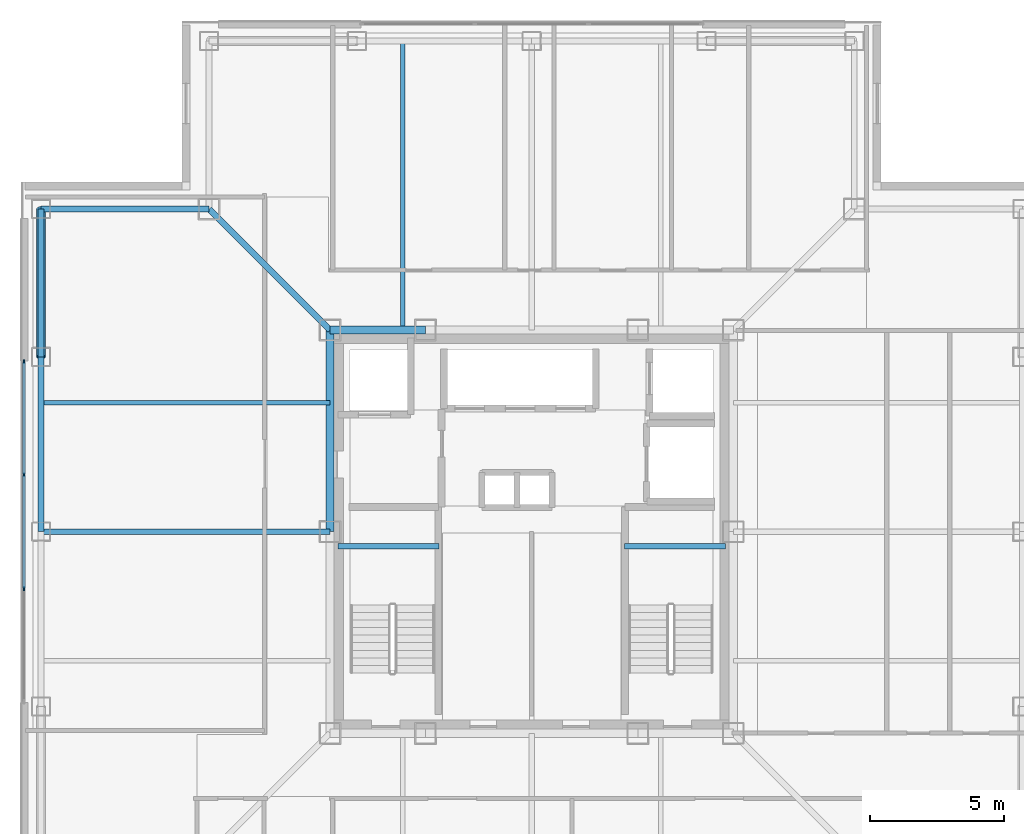
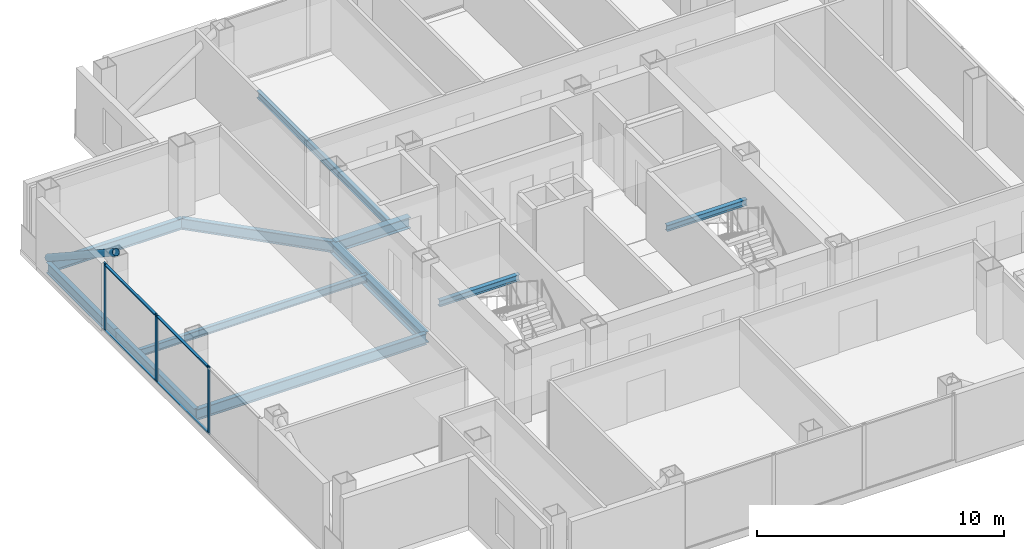
# One storey, part 4 of 16: 11 beams, 8 members, 1 element without a shape of its own.
"""IFC4 building model written with IfcOpenShell, lengths in metres."""

from ifc_helpers import new_model, si_unit, direction, frame, origin, origin_2d, place, context, subcontext, project, spatial, rectangle, hollow_circle, i_section, extrude, material, layer, layer_set, material_profile, profile_set, type_object, element, aggregate, save


model = new_model("IFC4")

# Units and contexts
model_context = context("Model", 3, precision=1e-05, world=origin(), true_north=direction((0.0, 1.0)))
body_context = subcontext(model_context, "Body", "Model", "MODEL_VIEW")
ifc_project = project(units=[si_unit("LENGTHUNIT", "METRE"), si_unit("AREAUNIT", "SQUARE_METRE"), si_unit("VOLUMEUNIT", "CUBIC_METRE"), si_unit("PLANEANGLEUNIT", "RADIAN"), si_unit("MASSUNIT", "GRAM", prefix="KILO")], contexts=[model_context])

# Site, building, storey
site_placement = place(None, origin())
site = spatial("IfcSite", under=ifc_project, at=site_placement, CompositionType="ELEMENT")
building_placement = place(site_placement, origin())
building = spatial("IfcBuilding", under=site, at=building_placement, Name="Trevonay Congress Spire", CompositionType="ELEMENT")
storey_placement = place(building_placement, frame((0.0, 0.0, 268.39990234375)))
storey = spatial("IfcBuildingStorey", under=building, at=storey_placement, Name="L70", CompositionType="ELEMENT", Elevation=268.39990234375)

# Beams
ifc_material_1 = material(Name="Steel ASTM A572 Grade 50", Category="steel")
ifc_material_profile_1 = material_profile(ifc_material_1, i_section(OverallWidth=0.2119140625, OverallDepth=0.5439453125, WebThickness=0.01318359375, FlangeThickness=0.021240234375, FilletRadius=0.014892578125, at=origin_2d()), Name="W530x123")
ifc_profile_set_1 = profile_set([ifc_material_profile_1], Name="Steel ASTM A572 Grade 50")
beam_type_1 = type_object("IfcBeamType", Name="BM-GIRD-W530X123", PredefinedType="BEAM", material=ifc_profile_set_1)
beam_1_placement = place(storey_placement, frame((-7.5, 7.5, -0.511962890625), z_axis=(-0.707106781187, 0.707106781187, 0.0), x_axis=(-0.707106781187, -0.707106781187, 0.0)))
element("IfcBeam", 1, at=beam_1_placement, inside=storey, type_object=beam_type_1, Name="L70 structural beam BM-L70-CDNW", PredefinedType="BEAM", context=body_context, shape_type="SweptSolid", body=[
    extrude(i_section(OverallWidth=0.2119140625, OverallDepth=0.5439453125, WebThickness=0.01318359375, FlangeThickness=0.021240234375, FilletRadius=0.014892578125, at=origin_2d()), origin(), (0.0, 0.0, 1.0), 6.364013671875),
])
beam_2_placement = place(storey_placement, frame((-7.5, 0.0, -0.511962890625), z_axis=(-1.0, 0.0, 0.0), x_axis=(0.0, -1.0, 0.0)))
element("IfcBeam", 2, at=beam_2_placement, inside=storey, type_object=beam_type_1, Name="L70 structural beam BM-L70-GC-W", PredefinedType="BEAM", context=body_context, shape_type="SweptSolid", body=[
    extrude(i_section(OverallWidth=0.2119140625, OverallDepth=0.5439453125, WebThickness=0.01318359375, FlangeThickness=0.021240234375, FilletRadius=0.014892578125, at=origin_2d()), origin(), (0.0, 0.0, 1.0), 10.75),
])
ifc_material_profile_2 = material_profile(ifc_material_1, i_section(OverallWidth=0.31201171875, OverallDepth=0.54296875, WebThickness=0.0126953125, FlangeThickness=0.020263671875, FilletRadius=0.014892578125, at=origin_2d()), Name="W530x150")
ifc_profile_set_2 = profile_set([ifc_material_profile_2], Name="Steel ASTM A572 Grade 50")
beam_type_2 = type_object("IfcBeamType", Name="BM-GIRD-W530X150", PredefinedType="BEAM", material=ifc_profile_set_2)
beam_3_placement = place(storey_placement, frame((-7.5, 7.5, -0.511474609375), z_axis=(1.0, 0.0, 0.0), x_axis=(0.0, 1.0, 0.0)))
element("IfcBeam", 3, at=beam_3_placement, inside=storey, type_object=beam_type_2, Name="L70 structural beam BM-L70-CR-N1", PredefinedType="BEAM", context=body_context, shape_type="SweptSolid", body=[
    extrude(i_section(OverallWidth=0.31201171875, OverallDepth=0.54296875, WebThickness=0.0126953125, FlangeThickness=0.020263671875, FilletRadius=0.014892578125, at=origin_2d()), origin(), (0.0, 0.0, 1.0), 3.550048828125),
])
beam_4_placement = place(storey_placement, frame((-7.5, 0.0, -0.511474609375), z_axis=(0.0, 1.0, 0.0), x_axis=(-1.0, 0.0, 0.0)))
element("IfcBeam", 4, at=beam_4_placement, inside=storey, type_object=beam_type_2, Name="L70 structural beam BM-L70-CR-W2", PredefinedType="BEAM", context=body_context, shape_type="SweptSolid", body=[
    extrude(i_section(OverallWidth=0.31201171875, OverallDepth=0.54296875, WebThickness=0.0126953125, FlangeThickness=0.020263671875, FilletRadius=0.014892578125, at=origin_2d()), origin(), (0.0, 0.0, 1.0), 7.5),
])
ifc_material_profile_3 = material_profile(ifc_material_1, i_section(OverallWidth=0.208984375, OverallDepth=0.532958984375, WebThickness=0.01025390625, FlangeThickness=0.015625, FilletRadius=0.014892578125, at=origin_2d()), Name="W530x92")
ifc_profile_set_3 = profile_set([ifc_material_profile_3], Name="Steel ASTM A572 Grade 50")
beam_type_3 = type_object("IfcBeamType", Name="BM-RING-W530X92", PredefinedType="BEAM", material=ifc_profile_set_3)
beam_5_placement = place(storey_placement, frame((-18.25, 0.0, -0.50634765625), z_axis=(0.0, 1.0, 0.0), x_axis=(-1.0, 0.0, 0.0)))
element("IfcBeam", 5, at=beam_5_placement, inside=storey, type_object=beam_type_3, Name="L70 structural beam BM-L70-PW3", PredefinedType="BEAM", context=body_context, shape_type="SweptSolid", body=[
    extrude(i_section(OverallWidth=0.208984375, OverallDepth=0.532958984375, WebThickness=0.01025390625, FlangeThickness=0.015625, FilletRadius=0.014892578125, at=origin_2d()), origin(), (0.0, 0.0, 1.0), 6.5),
])
beam_6_placement = place(storey_placement, frame((-18.25, 6.5, -0.50634765625), z_axis=(0.0, 1.0, 0.0), x_axis=(-1.0, 0.0, 0.0)))
element("IfcBeam", 6, at=beam_6_placement, inside=storey, type_object=beam_type_3, Name="L70 structural beam BM-L70-PW4", PredefinedType="BEAM", context=body_context, shape_type="SweptSolid", body=[
    extrude(i_section(OverallWidth=0.208984375, OverallDepth=0.532958984375, WebThickness=0.01025390625, FlangeThickness=0.015625, FilletRadius=0.014892578125, at=origin_2d()), origin(), (0.0, 0.0, 1.0), 5.5),
])
beam_7_placement = place(storey_placement, frame((-18.25, 12.0, -0.50634765625), z_axis=(1.0, 0.0, 0.0), x_axis=(0.0, 1.0, 0.0)))
element("IfcBeam", 7, at=beam_7_placement, inside=storey, type_object=beam_type_3, Name="L70 structural beam BM-L70-N2NW", PredefinedType="BEAM", context=body_context, shape_type="SweptSolid", body=[
    extrude(i_section(OverallWidth=0.208984375, OverallDepth=0.532958984375, WebThickness=0.01025390625, FlangeThickness=0.015625, FilletRadius=0.014892578125, at=origin_2d()), origin(), (0.0, 0.0, 1.0), 6.25),
])

# Curtain wall, members
ifc_material_2 = material(Name="Pale Anodised Aluminium EN AW-6063-T6", Category="aluminium")
ifc_layer = layer(ifc_material_2, 0.1650390625, Name="Pale Anodised Aluminium EN AW-6063-T6")
ifc_layer_set = layer_set([ifc_layer], Name="Pale Anodised Aluminium EN AW-6063-T6")
curtain_wall_type = type_object("IfcCurtainWallType", Name="CW-SYS05-DIPLOM-PALE-METAL", PredefinedType="NOTDEFINED", material=ifc_layer_set)
curtain_wall_placement = place(storey_placement, origin())
curtain_wall = element("IfcCurtainWall", 8, at=curtain_wall_placement, inside=storey, type_object=curtain_wall_type, Name="L70 W unitised curtain wall", PredefinedType="NOTDEFINED")
ifc_material_profile_4 = material_profile(ifc_material_2, rectangle(XDim=0.06005859375, YDim=0.159912109375, at=origin_2d()), Name="CW-MULLION-160-ALUMINIUM")
ifc_profile_set_4 = profile_set([ifc_material_profile_4], Name="Pale Anodised Aluminium EN AW-6063-T6")
member_type_1 = type_object("IfcMemberType", Name="CW-MULLION-160-ALUMINIUM", PredefinedType="MULLION", material=ifc_profile_set_4)
member_1_placement = place(storey_placement, frame((-18.8798828125, -2.11669921875, 0.0), z_axis=(0.0, 0.0, 1.0), x_axis=(-1.0, 0.0, 0.0)))
member_1 = element("IfcMember", 9, at=member_1_placement, type_object=member_type_1, Name="CW05 mullion 2", PredefinedType="MULLION", context=body_context, shape_type="SweptSolid", body=[
    extrude(rectangle(XDim=0.06005859375, YDim=0.159912109375, at=origin_2d()), origin(), (0.0, 0.0, 1.0), 3.360107421875),
])
member_2_placement = place(storey_placement, frame((-18.8798828125, 2.11669921875, 0.0), z_axis=(0.0, 0.0, 1.0), x_axis=(-1.0, 0.0, 0.0)))
member_2 = element("IfcMember", 10, at=member_2_placement, type_object=member_type_1, Name="CW05 mullion 3", PredefinedType="MULLION", context=body_context, shape_type="SweptSolid", body=[
    extrude(rectangle(XDim=0.06005859375, YDim=0.159912109375, at=origin_2d()), origin(), (0.0, 0.0, 1.0), 3.360107421875),
])
member_3_placement = place(storey_placement, frame((-18.8798828125, 6.320068359375, 0.0), z_axis=(0.0, 0.0, 1.0), x_axis=(-1.0, 0.0, 0.0)))
member_3 = element("IfcMember", 11, at=member_3_placement, type_object=member_type_1, Name="CW05 mullion 4", PredefinedType="MULLION", context=body_context, shape_type="SweptSolid", body=[
    extrude(rectangle(XDim=0.06005859375, YDim=0.159912109375, at=origin_2d()), origin(), (0.0, 0.0, 1.0), 3.360107421875),
])
ifc_material_profile_5 = material_profile(ifc_material_2, rectangle(XDim=0.1201171875, YDim=0.06005859375, at=origin_2d()), Name="CW-TRANSOM-120-ALUMINIUM")
ifc_profile_set_5 = profile_set([ifc_material_profile_5], Name="Pale Anodised Aluminium EN AW-6063-T6")
member_type_2 = type_object("IfcMemberType", Name="CW-TRANSOM-120-ALUMINIUM", PredefinedType="USERDEFINED", material=ifc_profile_set_5)
member_4_placement = place(storey_placement, frame((-18.8798828125, -2.086669921875, 0.06005859375), z_axis=(0.0, 1.0, 0.0), x_axis=(-1.0, 0.0, 0.0)))
member_4 = element("IfcMember", 12, at=member_4_placement, type_object=member_type_2, Name="CW05 transom 2.1", ObjectType="TRANSOM", PredefinedType="USERDEFINED", context=body_context, shape_type="SweptSolid", body=[
    extrude(rectangle(XDim=0.1201171875, YDim=0.06005859375, at=origin_2d()), origin(), (0.0, 0.0, 1.0), 4.17333984375),
])
member_5_placement = place(storey_placement, frame((-18.8798828125, -2.086669921875, 3.300048828125), z_axis=(0.0, 1.0, 0.0), x_axis=(-1.0, 0.0, 0.0)))
member_5 = element("IfcMember", 13, at=member_5_placement, type_object=member_type_2, Name="CW05 transom 2.2", ObjectType="TRANSOM", PredefinedType="USERDEFINED", context=body_context, shape_type="SweptSolid", body=[
    extrude(rectangle(XDim=0.1201171875, YDim=0.06005859375, at=origin_2d()), origin(), (0.0, 0.0, 1.0), 4.17333984375),
])
member_6_placement = place(storey_placement, frame((-18.8798828125, 2.146728515625, 0.06005859375), z_axis=(0.0, 1.0, 0.0), x_axis=(-1.0, 0.0, 0.0)))
member_6 = element("IfcMember", 14, at=member_6_placement, type_object=member_type_2, Name="CW05 transom 3.1", ObjectType="TRANSOM", PredefinedType="USERDEFINED", context=body_context, shape_type="SweptSolid", body=[
    extrude(rectangle(XDim=0.1201171875, YDim=0.06005859375, at=origin_2d()), origin(), (0.0, 0.0, 1.0), 4.143310546875),
])
member_7_placement = place(storey_placement, frame((-18.8798828125, 2.146728515625, 3.300048828125), z_axis=(0.0, 1.0, 0.0), x_axis=(-1.0, 0.0, 0.0)))
member_7 = element("IfcMember", 15, at=member_7_placement, type_object=member_type_2, Name="CW05 transom 3.2", ObjectType="TRANSOM", PredefinedType="USERDEFINED", context=body_context, shape_type="SweptSolid", body=[
    extrude(rectangle(XDim=0.1201171875, YDim=0.06005859375, at=origin_2d()), origin(), (0.0, 0.0, 1.0), 4.143310546875),
])
aggregate(curtain_wall, [member_1, member_2, member_3, member_4, member_5, member_6, member_7])

# Beams
ifc_material_profile_6 = material_profile(ifc_material_1, i_section(OverallWidth=0.172119140625, OverallDepth=0.35791015625, WebThickness=0.0078125, FlangeThickness=0.01318359375, FilletRadius=0.011962890625, at=origin_2d()), Name="W360x57.8")
ifc_profile_set_6 = profile_set([ifc_material_profile_6], Name="Steel ASTM A572 Grade 50")
beam_type_4 = type_object("IfcBeamType", Name="JS-COMP-W360X57", PredefinedType="JOIST", material=ifc_profile_set_6)
for number, where, z_axis, x_axis, name in (
    (16, (-4.800048828125, 7.5, -0.4189453125), (0.0, 1.0, 0.0), (-1.0, 0.0, 0.0), "L70 structural beam JS-L70-NS-N1"),
    (17, (-18.25, 4.800048828125, -0.4189453125), (1.0, 0.0, 0.0), (0.0, 1.0, 0.0), "L70 structural beam JS-L70-EW-W3"),
):
    element("IfcBeam", number, at=place(storey_placement, frame(where, z_axis=z_axis, x_axis=x_axis)), inside=storey, type_object=beam_type_4, Name=name, PredefinedType="JOIST", context=body_context, shape_type="SweptSolid", body=[
        extrude(i_section(OverallWidth=0.172119140625, OverallDepth=0.35791015625, WebThickness=0.0078125, FlangeThickness=0.01318359375, FilletRadius=0.011962890625, at=origin_2d()), origin(), (0.0, 0.0, 1.0), 10.75),
    ])
ifc_material_profile_7 = material_profile(ifc_material_1, i_section(OverallWidth=0.2041015625, OverallDepth=0.305908203125, WebThickness=0.008544921875, FlangeThickness=0.0146484375, FilletRadius=0.010986328125, at=origin_2d()), Name="W310x67")
ifc_profile_set_7 = profile_set([ifc_material_profile_7], Name="Steel ASTM A572 Grade 50")
beam_type_5 = type_object("IfcBeamType", Name="LN-CORE-W310X67", PredefinedType="LINTEL", material=ifc_profile_set_7)
for number, where, z_axis, x_axis, name in (
    (18, (-7.199951171875, -0.550048828125, 1.447021484375), (1.0, 0.0, 0.0), (0.0, 1.0, 0.0), "L70 structural beam BM-L70-HL-ST1"),
    (19, (3.449951171875, -0.550048828125, 1.447021484375), (1.0, 0.0, 0.0), (0.0, 1.0, 0.0), "L70 structural beam BM-L70-HL-ST2"),
):
    element("IfcBeam", number, at=place(storey_placement, frame(where, z_axis=z_axis, x_axis=x_axis)), inside=storey, type_object=beam_type_5, Name=name, PredefinedType="LINTEL", context=body_context, shape_type="SweptSolid", body=[
        extrude(i_section(OverallWidth=0.2041015625, OverallDepth=0.305908203125, WebThickness=0.008544921875, FlangeThickness=0.0146484375, FilletRadius=0.010986328125, at=origin_2d()), origin(), (0.0, 0.0, 1.0), 3.75),
    ])

# Member
ifc_material_3 = material(Name="Steel ASTM A500 Grade C", Category="steel")
ifc_material_profile_8 = material_profile(ifc_material_3, hollow_circle(Radius=0.161865234375, WallThickness=0.01611328125, at=origin_2d()), Name="CHS 323.9x16")
ifc_profile_set_8 = profile_set([ifc_material_profile_8], Name="Steel ASTM A500 Grade C")
member_type_3 = type_object("IfcMemberType", Name="MBR-TUBE-CHS324", PredefinedType="BRACE", material=ifc_profile_set_8)
member_8_placement = place(storey_placement, frame((-18.25, 12.0, -0.0498046875), z_axis=(0.0, -0.836711728151, 0.547643573845), x_axis=(1.0, 0.0, 0.0)))
element("IfcMember", 20, at=member_8_placement, inside=storey, type_object=member_type_3, Name="L70 perimeter braced-tube diagonal W3", PredefinedType="BRACE", context=body_context, shape_type="SweptSolid", body=[
    extrude(hollow_circle(Radius=0.161865234375, WallThickness=0.01611328125, at=origin_2d()), origin(), (0.0, 0.0, 1.0), 6.5732421875),
])

save(model, "model.ifc")
